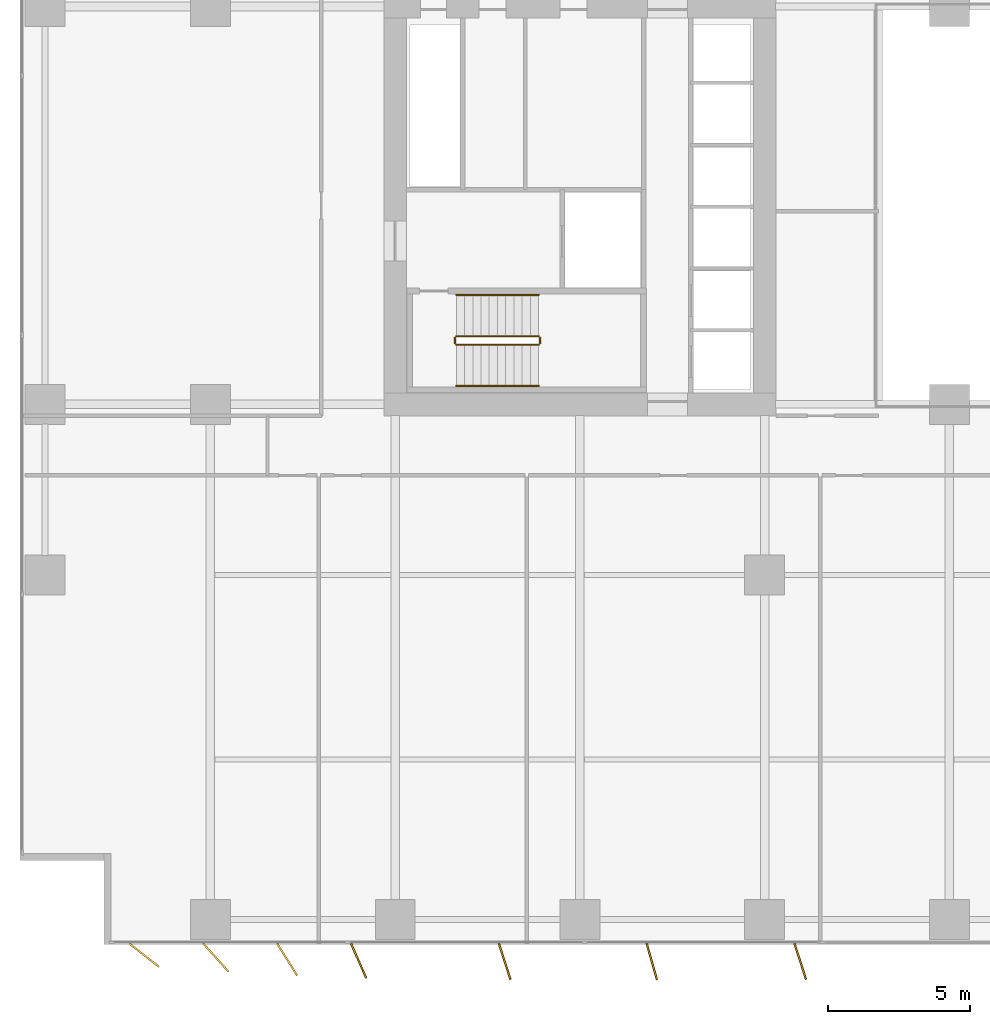
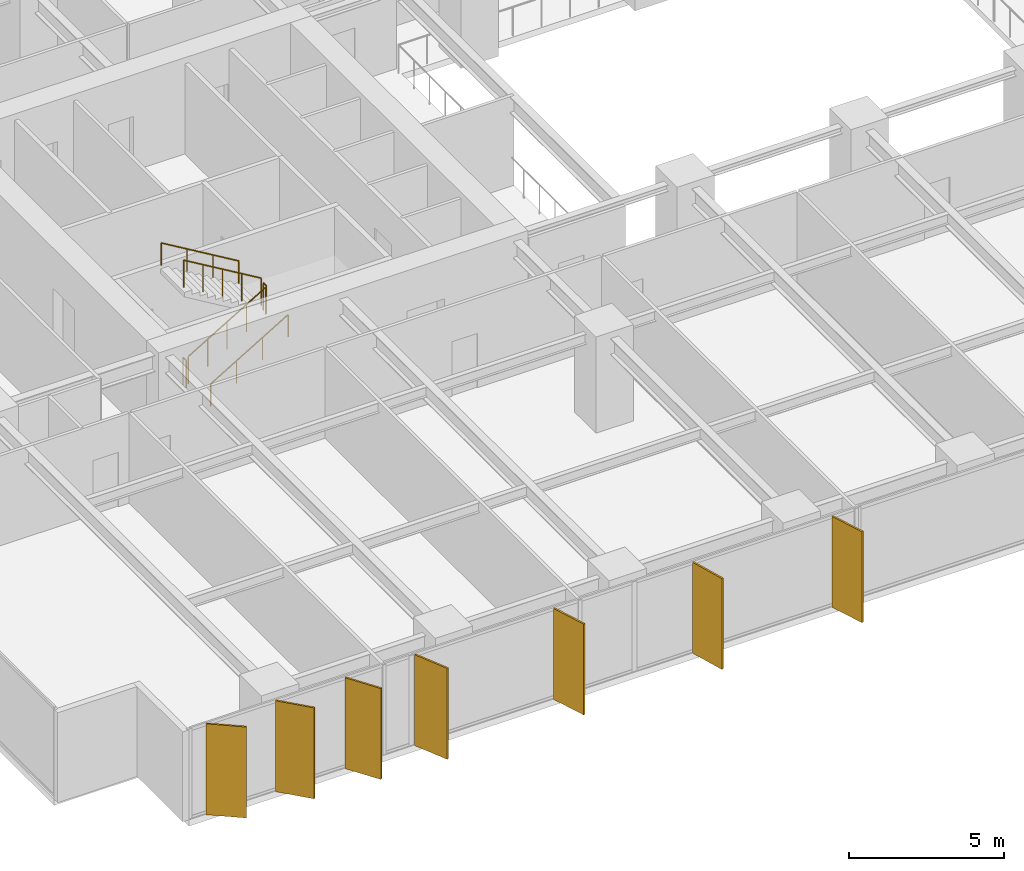
# One storey, part 17 of 20: 7 shading devices, 6 railings.
"""IFC4 building model written with IfcOpenShell, lengths in metres."""

from ifc_helpers import new_model, si_unit, direction, frame, origin, origin_2d, place, context, subcontext, project, spatial, rectangle, circle, extrude, material, layer, layer_set, type_object, element, save


model = new_model("IFC4")

# Units and contexts
model_context = context("Model", 3, precision=1e-05, world=origin(), true_north=direction((0.0, 1.0)))
body_context = subcontext(model_context, "Body", "Model", "MODEL_VIEW")
ifc_project = project(units=[si_unit("LENGTHUNIT", "METRE"), si_unit("AREAUNIT", "SQUARE_METRE"), si_unit("VOLUMEUNIT", "CUBIC_METRE"), si_unit("PLANEANGLEUNIT", "RADIAN"), si_unit("MASSUNIT", "GRAM", prefix="KILO")], contexts=[model_context])

# Site, building, storey
site_placement = place(None, origin())
site = spatial("IfcSite", under=ifc_project, at=site_placement, CompositionType="ELEMENT")
building_placement = place(site_placement, origin())
building = spatial("IfcBuilding", under=site, at=building_placement, Name="Putna Gate Headquarters", CompositionType="ELEMENT")
storey_placement = place(building_placement, frame((0.0, 0.0, 65.800048828125)))
storey = spatial("IfcBuildingStorey", under=building, at=storey_placement, Name="L15", CompositionType="ELEMENT", Elevation=65.800048828125)

# Railings
ifc_material_1 = material(Name="Powder-coated steel stair guardrail", Category="steel")
railing_type_1 = type_object("IfcRailingType", Name="RAIL-STAIR-GUARD-1100", PredefinedType="GUARDRAIL", material=ifc_material_1)
railing_1_placement = place(storey_placement, frame((15.14990234375, 21.10009765625, 0.172607421875)))
element("IfcRailing", 1, at=railing_1_placement, inside=storey, type_object=railing_type_1, Name="L15 ST1 stair guard 1", PredefinedType="GUARDRAIL", context=body_context, shape_type="SweptSolid", body=[
    extrude(circle(Radius=0.02392578125, at=origin_2d()), frame((0.0, 0.0, 1.076171875), z_axis=(0.859160404282, 0.0, 0.51170636083), x_axis=(0.0, 1.0, 0.0)), (0.0, 0.0, 1.0), 3.37548828125),
    extrude(circle(Radius=0.02099609375, at=origin_2d()), origin(), (0.0, 0.0, 1.0), 1.052001953125),
    extrude(circle(Radius=0.02099609375, at=origin_2d()), frame((0.72509765625, 0.0, 0.431884765625)), (0.0, 0.0, 1.0), 1.052001953125),
    extrude(circle(Radius=0.02099609375, at=origin_2d()), frame((1.4501953125, 0.0, 0.86376953125)), (0.0, 0.0, 1.0), 1.052001953125),
    extrude(circle(Radius=0.02099609375, at=origin_2d()), frame((2.175048828125, 0.0, 1.29541015625)), (0.0, 0.0, 1.0), 1.052001953125),
    extrude(circle(Radius=0.02099609375, at=origin_2d()), frame((2.900146484375, 0.0, 1.727294921875)), (0.0, 0.0, 1.0), 1.052001953125),
])
railing_2_placement = place(storey_placement, frame((18.10009765625, 21.14990234375, 1.89990234375)))
element("IfcRailing", 2, at=railing_2_placement, inside=storey, type_object=railing_type_1, Name="L15 ST1 stair guard 2", PredefinedType="GUARDRAIL", context=body_context, shape_type="SweptSolid", body=[
    extrude(circle(Radius=0.02392578125, at=origin_2d()), frame((0.0, 0.0, 1.076171875), z_axis=(0.0, 1.0, 0.0), x_axis=(-1.0, 0.0, 0.0)), (0.0, 0.0, 1.0), 0.2001953125),
    extrude(circle(Radius=0.02099609375, at=origin_2d()), origin(), (0.0, 0.0, 1.0), 1.052001953125),
    extrude(circle(Radius=0.02099609375, at=origin_2d()), frame((0.0, 0.2001953125, 0.0)), (0.0, 0.0, 1.0), 1.052001953125),
])
railing_3_placement = place(storey_placement, frame((18.050048828125, 21.39990234375, 2.07275390625)))
element("IfcRailing", 3, at=railing_3_placement, inside=storey, type_object=railing_type_1, Name="L15 ST1 stair guard 3", PredefinedType="GUARDRAIL", context=body_context, shape_type="SweptSolid", body=[
    extrude(circle(Radius=0.02392578125, at=origin_2d()), frame((0.0, 0.0, 1.076171875), z_axis=(-0.859160404282, 0.0, 0.51170636083), x_axis=(0.0, -1.0, 0.0)), (0.0, 0.0, 1.0), 3.37548828125),
    extrude(circle(Radius=0.02099609375, at=origin_2d()), origin(), (0.0, 0.0, 1.0), 1.052001953125),
    extrude(circle(Radius=0.02099609375, at=origin_2d()), frame((-0.72509765625, 0.0, 0.431884765625)), (0.0, 0.0, 1.0), 1.052001953125),
    extrude(circle(Radius=0.02099609375, at=origin_2d()), frame((-1.4501953125, 0.0, 0.86376953125)), (0.0, 0.0, 1.0), 1.052001953125),
    extrude(circle(Radius=0.02099609375, at=origin_2d()), frame((-2.175048828125, 0.0, 1.29541015625)), (0.0, 0.0, 1.0), 1.052001953125),
    extrude(circle(Radius=0.02099609375, at=origin_2d()), frame((-2.900146484375, 0.0, 1.727294921875)), (0.0, 0.0, 1.0), 1.052001953125),
])
railing_4_placement = place(storey_placement, frame((15.10009765625, 21.14990234375, 0.0)))
element("IfcRailing", 4, at=railing_4_placement, inside=storey, type_object=railing_type_1, Name="L15 ST1 stair guard 4", PredefinedType="GUARDRAIL", context=body_context, shape_type="SweptSolid", body=[
    extrude(circle(Radius=0.02392578125, at=origin_2d()), frame((0.0, 0.0, 1.076171875), z_axis=(0.0, 1.0, 0.0), x_axis=(-1.0, 0.0, 0.0)), (0.0, 0.0, 1.0), 0.2001953125),
    extrude(circle(Radius=0.02099609375, at=origin_2d()), origin(), (0.0, 0.0, 1.0), 1.052001953125),
    extrude(circle(Radius=0.02099609375, at=origin_2d()), frame((0.0, 0.2001953125, 0.0)), (0.0, 0.0, 1.0), 1.052001953125),
])
ifc_material_2 = material(Name="Brushed stainless steel handrail", Category="steel")
railing_type_2 = type_object("IfcRailingType", Name="RAIL-STAIR-HAND-900", PredefinedType="HANDRAIL", material=ifc_material_2)
railing_5_placement = place(storey_placement, frame((15.14990234375, 19.64990234375, 0.172607421875)))
element("IfcRailing", 5, at=railing_5_placement, inside=storey, type_object=railing_type_2, Name="L15 ST1 stair handrail 1", PredefinedType="HANDRAIL", context=body_context, shape_type="SweptSolid", body=[
    extrude(circle(Radius=0.02392578125, at=origin_2d()), frame((0.0, 0.0, 0.8759765625), z_axis=(0.859160404282, 0.0, 0.51170636083), x_axis=(0.0, 1.0, 0.0)), (0.0, 0.0, 1.0), 3.37548828125),
    extrude(circle(Radius=0.02099609375, at=origin_2d()), origin(), (0.0, 0.0, 1.0), 0.851806640625),
    extrude(circle(Radius=0.02099609375, at=origin_2d()), frame((0.966796875, 0.0, 0.57568359375)), (0.0, 0.0, 1.0), 0.851806640625),
    extrude(circle(Radius=0.02099609375, at=origin_2d()), frame((1.933349609375, 0.0, 1.151611328125)), (0.0, 0.0, 1.0), 0.851806640625),
    extrude(circle(Radius=0.02099609375, at=origin_2d()), frame((2.900146484375, 0.0, 1.727294921875)), (0.0, 0.0, 1.0), 0.851806640625),
])
railing_6_placement = place(storey_placement, frame((18.050048828125, 22.85009765625, 2.07275390625)))
element("IfcRailing", 6, at=railing_6_placement, inside=storey, type_object=railing_type_2, Name="L15 ST1 stair handrail 2", PredefinedType="HANDRAIL", context=body_context, shape_type="SweptSolid", body=[
    extrude(circle(Radius=0.02392578125, at=origin_2d()), frame((0.0, 0.0, 0.8759765625), z_axis=(-0.859160404282, 0.0, 0.51170636083), x_axis=(0.0, -1.0, 0.0)), (0.0, 0.0, 1.0), 3.37548828125),
    extrude(circle(Radius=0.02099609375, at=origin_2d()), origin(), (0.0, 0.0, 1.0), 0.851806640625),
    extrude(circle(Radius=0.02099609375, at=origin_2d()), frame((-0.966796875, 0.0, 0.57568359375)), (0.0, 0.0, 1.0), 0.851806640625),
    extrude(circle(Radius=0.02099609375, at=origin_2d()), frame((-1.933349609375, 0.0, 1.151611328125)), (0.0, 0.0, 1.0), 0.851806640625),
    extrude(circle(Radius=0.02099609375, at=origin_2d()), frame((-2.900146484375, 0.0, 1.727294921875)), (0.0, 0.0, 1.0), 0.851806640625),
])

# Shading devices
ifc_material_3 = material(Name="Anodised architectural bronze aluminium fin", Category="aluminium")
ifc_layer = layer(ifc_material_3, 0.06494140625)
ifc_layer_set = layer_set([ifc_layer], Name="Anodised architectural bronze aluminium fin")
shading_device_type = type_object("IfcShadingDeviceType", Name="SHADE-BRONZE-FIN-1320", PredefinedType="USERDEFINED", material=ifc_layer_set)
for number, where, z_axis, x_axis, name in (
    (7, (4.169677734375, -0.3818359375, -0.02001953125), (0.0, 0.0, 1.0), (0.787473187632, -0.616348909921, 0.0), "L15 Bronze Vertical Shading Fin S1"),
    (8, (6.691650390625, -0.465576171875, -0.02001953125), (0.0, 0.0, 1.0), (0.669130606359, -0.743144825477, 0.0), "L15 Bronze Vertical Shading Fin S2"),
    (9, (9.2001953125, -0.534423828125, -0.02001953125), (0.0, 0.0, 1.0), (0.530659123936, -0.847585331506, 0.0), "L15 Bronze Vertical Shading Fin S3"),
    (10, (11.71435546875, -0.57958984375, -0.02001953125), (0.0, 0.0, 1.0), (0.400668879095, -0.916222925562, 0.0), "L15 Bronze Vertical Shading Fin S4"),
    (11, (16.853759765625, -0.602783203125, -0.02001953125), (0.0, 0.0, 1.0), (0.308684994204, -0.951164325631, 0.0), "L15 Bronze Vertical Shading Fin S5"),
    (12, (22.031982421875, -0.609375, -0.02001953125), (0.0, 0.0, 1.0), (0.275637355817, -0.961261695938, 0.0), "L15 Bronze Vertical Shading Fin S6"),
    (13, (27.253662109375, -0.602783203125, -0.02001953125), (0.0, 0.0, 1.0), (0.308684994204, -0.951164325631, 0.0), "L15 Bronze Vertical Shading Fin S7"),
):
    element("IfcShadingDevice", number, at=place(storey_placement, frame(where, z_axis=z_axis, x_axis=x_axis)), inside=storey, type_object=shading_device_type, Name=name, ObjectType="FIN", PredefinedType="USERDEFINED", context=body_context, shape_type="SweptSolid", body=[
        extrude(rectangle(XDim=1.320068359375, YDim=0.06494140625, at=origin_2d()), origin(), (0.0, 0.0, 1.0), 3.590087890625),
    ])

save(model, "model.ifc")
